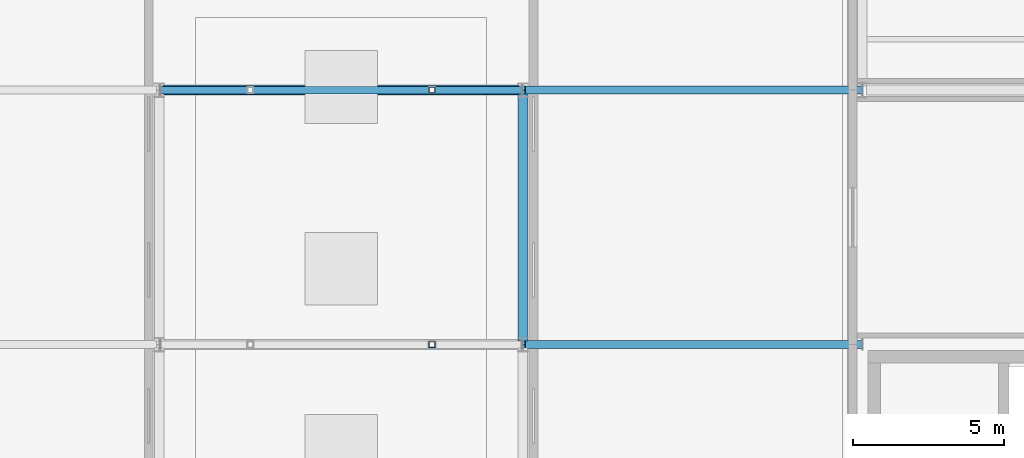
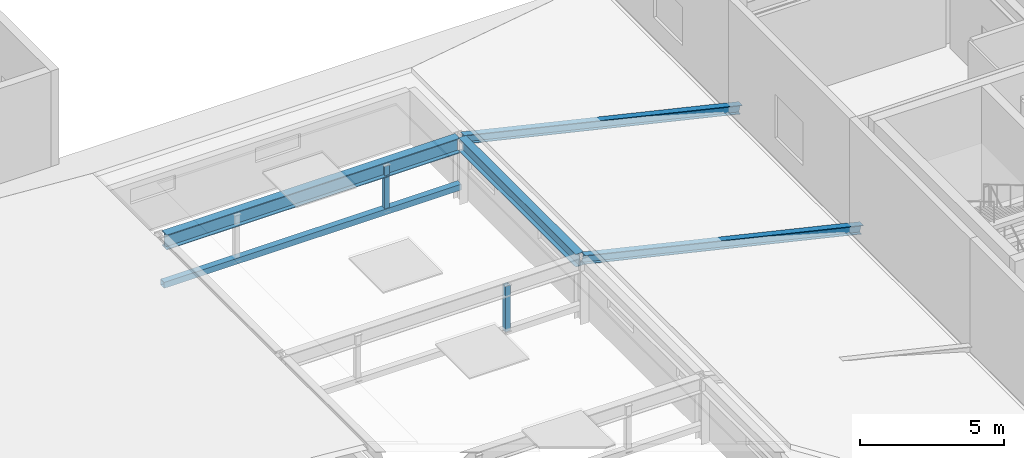
# One storey, part 51 of 91: 5 members, 2 beams.
"""IFC4 building model written with IfcOpenShell, lengths in metres."""

from ifc_helpers import new_model, si_unit, direction, frame, origin, origin_2d, place, context, subcontext, project, spatial, hollow_rectangle, i_section, extrude, material, material_profile, profile_set, type_object, element, save


model = new_model("IFC4")

# Units and contexts
model_context = context("Model", 3, precision=1e-05, world=origin(), true_north=direction((0.0, 1.0)))
body_context = subcontext(model_context, "Body", "Model", "MODEL_VIEW")
ifc_project = project(units=[si_unit("LENGTHUNIT", "METRE"), si_unit("AREAUNIT", "SQUARE_METRE"), si_unit("VOLUMEUNIT", "CUBIC_METRE"), si_unit("PLANEANGLEUNIT", "RADIAN"), si_unit("MASSUNIT", "GRAM", prefix="KILO")], contexts=[model_context])

# Site, building, storey
site_placement = place(None, origin())
site = spatial("IfcSite", under=ifc_project, at=site_placement, CompositionType="ELEMENT")
building_placement = place(site_placement, origin())
building = spatial("IfcBuilding", under=site, at=building_placement, Name="Sollismere Congress Hotel", CompositionType="ELEMENT")
storey_placement = place(building_placement, frame((0.0, 0.0, 10.800048828125)))
storey = spatial("IfcBuildingStorey", under=building, at=storey_placement, Name="L02", CompositionType="ELEMENT", Elevation=10.800048828125)

# Beams
ifc_material_1 = material(Name="Steel ASTM A992 Grade 50", Category="steel")
ifc_material_profile_1 = material_profile(ifc_material_1, i_section(OverallWidth=0.31201171875, OverallDepth=0.5439453125, WebThickness=0.0126953125, FlangeThickness=0.020263671875, at=origin_2d()), Name="W21X101")
ifc_profile_set_1 = profile_set([ifc_material_profile_1], Name="Steel ASTM A992 Grade 50")
beam_type_1 = type_object("IfcBeamType", Name="BM-G21M", PredefinedType="BEAM", material=ifc_profile_set_1)
beam_1_placement = place(storey_placement, frame((136.0, 50.1201171875, 2.508056640625), z_axis=(0.0, 1.0, 0.0), x_axis=(-1.0, 0.0, 0.0)))
element("IfcBeam", 1, at=beam_1_placement, inside=storey, type_object=beam_type_1, Name="Beam BM-L02-3860", PredefinedType="BEAM", context=body_context, shape_type="SweptSolid", body=[
    extrude(i_section(OverallWidth=0.31201171875, OverallDepth=0.5439453125, WebThickness=0.0126953125, FlangeThickness=0.020263671875, at=origin_2d()), origin(), (0.0, 0.0, 1.0), 8.159912109375),
])
ifc_material_profile_2 = material_profile(ifc_material_1, i_section(OverallWidth=0.330078125, OverallDepth=0.635009765625, WebThickness=0.017822265625, FlangeThickness=0.031005859375, at=origin_2d()), Name="W24X162")
ifc_profile_set_2 = profile_set([ifc_material_profile_2], Name="Steel ASTM A992 Grade 50")
beam_type_2 = type_object("IfcBeamType", Name="BM-G24H", PredefinedType="BEAM", material=ifc_profile_set_2)
beam_2_placement = place(storey_placement, frame((124.1201171875, 58.39990234375, 2.46240234375), z_axis=(1.0, 0.0, 0.0), x_axis=(0.0, 1.0, 0.0)))
element("IfcBeam", 2, at=beam_2_placement, inside=storey, type_object=beam_type_2, Name="Beam BM-L02-3861", PredefinedType="BEAM", context=body_context, shape_type="SweptSolid", body=[
    extrude(i_section(OverallWidth=0.330078125, OverallDepth=0.635009765625, WebThickness=0.017822265625, FlangeThickness=0.031005859375, at=origin_2d()), origin(), (0.0, 0.0, 1.0), 11.759765625),
])

# Members
ifc_material_2 = material(Name="Steel ASTM A500 Grade C", Category="steel")
ifc_material_profile_3 = material_profile(ifc_material_2, hollow_rectangle(XDim=0.25, YDim=0.25, WallThickness=0.010009765625, at=origin_2d()), Name="HSS250X250X10")
ifc_profile_set_3 = profile_set([ifc_material_profile_3], Name="Steel ASTM A500 Grade C")
member_type_1 = type_object("IfcMemberType", Name="MB-CH250", PredefinedType="CHORD", material=ifc_profile_set_3)
member_placement = place(storey_placement, frame((124.0400390625, 58.39990234375, 0.64990234375), z_axis=(1.0, 0.0, 0.0), x_axis=(0.0, 1.0, 0.0)))
element("IfcMember", 3, at=member_placement, inside=storey, type_object=member_type_1, Name="MEM-CH-S04", PredefinedType="CHORD", context=body_context, shape_type="SweptSolid", body=[
    extrude(hollow_rectangle(XDim=0.25, YDim=0.25, WallThickness=0.010009765625, at=origin_2d()), origin(), (0.0, 0.0, 1.0), 11.919921875),
])
ifc_material_profile_4 = material_profile(ifc_material_1, i_section(OverallWidth=0.257080078125, OverallDepth=0.363037109375, WebThickness=0.012939453125, FlangeThickness=0.021728515625, at=origin_2d()), Name="W14X82")
ifc_profile_set_4 = profile_set([ifc_material_profile_4], Name="Steel ASTM A992 Grade 50")
member_type_2 = type_object("IfcMemberType", Name="MB-RF300", PredefinedType="RAFTER", material=ifc_profile_set_4)
for number, where, z_axis, x_axis, name in (
    (4, (147.199951171875, 50.0, 0.0), (-0.973533515773, 0.0, 0.228544292572), (0.0, -1.0, 0.0), "MEM-RF-E03"),
    (5, (147.199951171875, 58.39990234375, 0.0), (-0.973533515773, 0.0, 0.228544292572), (0.0, -1.0, 0.0), "MEM-RF-E04"),
):
    element("IfcMember", number, at=place(storey_placement, frame(where, z_axis=z_axis, x_axis=x_axis)), inside=storey, type_object=member_type_2, Name=name, PredefinedType="RAFTER", context=body_context, shape_type="SweptSolid", body=[
        extrude(i_section(OverallWidth=0.257080078125, OverallDepth=0.363037109375, WebThickness=0.012939453125, FlangeThickness=0.021728515625, at=origin_2d()), origin(), (0.0, 0.0, 1.0), 11.46337890625),
    ])
ifc_material_profile_5 = material_profile(ifc_material_2, hollow_rectangle(XDim=0.199951171875, YDim=0.199951171875, WallThickness=0.010009765625, at=origin_2d()), Name="HSS200X200X10")
ifc_profile_set_5 = profile_set([ifc_material_profile_5], Name="Steel ASTM A500 Grade C")
member_type_3 = type_object("IfcMemberType", Name="MB-ST200", PredefinedType="STRUT", material=ifc_profile_set_5)
for number, where, z_axis, x_axis, name in (
    (6, (133.0, 50.0, 0.64990234375), (0.0, 0.0, 1.0), (1.0, 0.0, 0.0), "MEM-ST-S32"),
    (7, (133.0, 58.39990234375, 0.64990234375), (0.0, 0.0, 1.0), (1.0, 0.0, 0.0), "MEM-ST-S42"),
):
    element("IfcMember", number, at=place(storey_placement, frame(where, z_axis=z_axis, x_axis=x_axis)), inside=storey, type_object=member_type_3, Name=name, PredefinedType="STRUT", context=body_context, shape_type="SweptSolid", body=[
        extrude(hollow_rectangle(XDim=0.199951171875, YDim=0.199951171875, WallThickness=0.010009765625, at=origin_2d()), origin(), (0.0, 0.0, 1.0), 1.929931640625),
    ])

save(model, "model.ifc")
